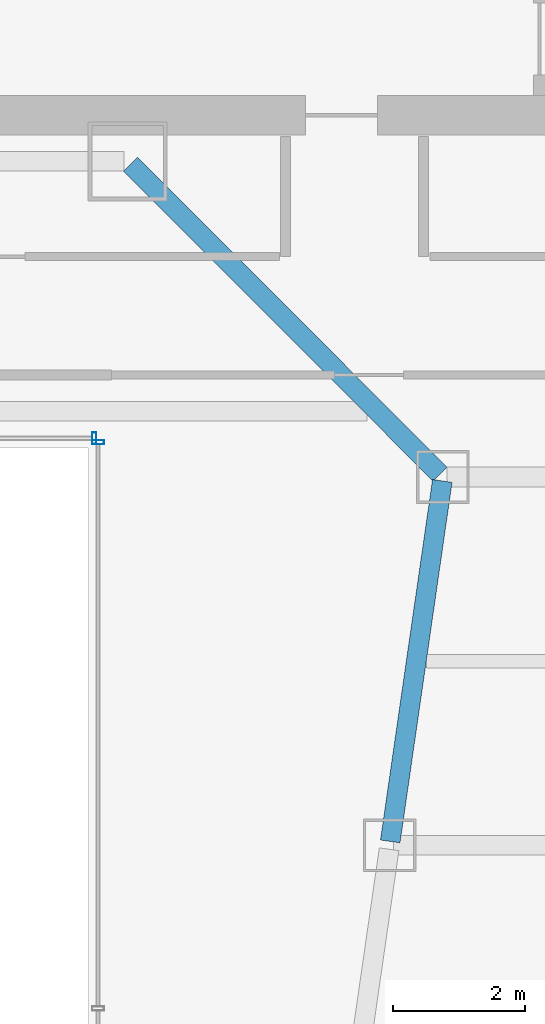
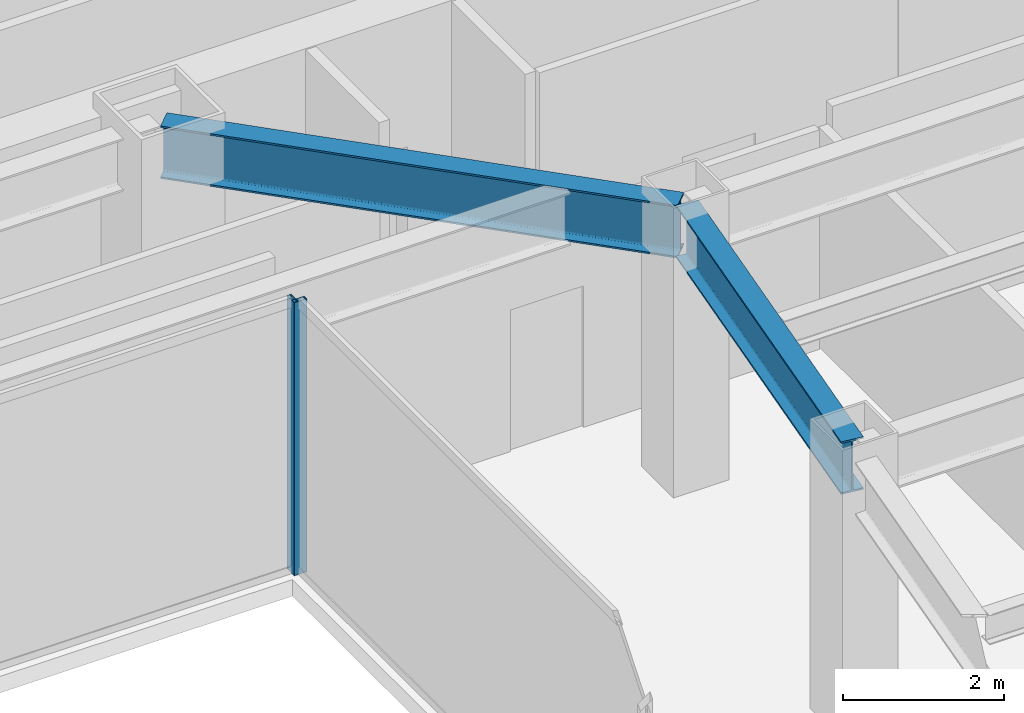
# One storey, part 29 of 47: 2 beams, 2 members, 2 elements without a shape of their own.
"""IFC4 building model written with IfcOpenShell, lengths in metres."""

import ifcopenshell
import ifcopenshell.guid

model = None  # the IFC model being written
_history = None  # IfcOwnerHistory: only IFC2X3 demands one
_inside = {}  # id of a spatial element -> (the spatial element, [elements in it])
_under = {}  # id of a project, library or spatial element -> (it, [spatial elements below it])
_declared = {}  # id of a project -> (the project, [libraries it declares])
_typed = {}  # id of a type object -> (the type object, [elements of that type])
_made_of = {}  # id of a material, layer set ... -> (it, [elements and type objects made of it])


def new_model(schema):
    """Start an empty IFC model of exactly this schema.

    Asked for "IFC4X3", IfcOpenShell would pick the latest addendum, in which some entities
    have other attributes; the version numbers below select the first issue.
    IFC2X3 requires an IfcOwnerHistory on every rooted entity: one is made here for all.
    """
    global model, _history
    if schema == "IFC4X3":
        model = ifcopenshell.file(schema_version=(4, 3, 0, 0))
    else:
        model = ifcopenshell.file(schema=schema)
    _inside.clear()
    _under.clear()
    _declared.clear()
    _typed.clear()
    _made_of.clear()
    _history = None
    if model.schema == "IFC2X3":
        org = make("IfcOrganization", Name="unknown")
        user = make(
            "IfcPersonAndOrganization",
            ThePerson=make("IfcPerson", FamilyName="unknown"),
            TheOrganization=org,
        )
        app = make(
            "IfcApplication",
            ApplicationDeveloper=org,
            Version="unknown",
            ApplicationFullName="unknown",
            ApplicationIdentifier="unknown",
        )
        _history = make(
            "IfcOwnerHistory",
            OwningUser=user,
            OwningApplication=app,
            ChangeAction="ADDED",
            CreationDate=0,
        )
    return model


def make(cls, **values):
    """One entity of the class cls with the attributes given. An attribute that is None is left unset."""
    return model.create_entity(
        cls, **{name: value for name, value in values.items() if value is not None}
    )


def rooted(cls, **values):
    """An entity with a GlobalId (a new one), such as an element, a storey or a relation."""
    return make(cls, GlobalId=ifcopenshell.guid.new(), OwnerHistory=_history, **values)


def si_unit(unit_type, name, prefix=None):
    """IfcSIUnit, for example si_unit("LENGTHUNIT", "METRE", prefix="MILLI")."""
    return make("IfcSIUnit", UnitType=unit_type, Prefix=prefix, Name=name)


def assignment(units):
    """IfcUnitAssignment: the units of a project."""
    return None if units is None else make("IfcUnitAssignment", Units=units)


def point(xyz):
    """IfcCartesianPoint."""
    return None if xyz is None else make("IfcCartesianPoint", Coordinates=xyz)


def direction(xyz):
    """IfcDirection."""
    return None if xyz is None else make("IfcDirection", DirectionRatios=xyz)


def frame(location, z_axis=None, x_axis=None):
    """IfcAxis2Placement3D, a coordinate frame: its origin and axes. An axis left out is left unset."""
    return make(
        "IfcAxis2Placement3D",
        Location=point(location),
        Axis=direction(z_axis),
        RefDirection=direction(x_axis),
    )


def frame_2d(location, x_axis=None):
    """IfcAxis2Placement2D, a coordinate frame in the plane: its origin and x axis."""
    return make(
        "IfcAxis2Placement2D", Location=point(location), RefDirection=direction(x_axis)
    )


def origin():
    """The frame at (0, 0, 0) with its axes left unset."""
    return frame((0.0, 0.0, 0.0))


def origin_2d():
    """The frame at (0, 0) in the plane with its x axis left unset."""
    return frame_2d((0.0, 0.0))


def place(relative_to, where):
    """IfcLocalPlacement: puts the frame where relative to a parent placement (None: the world)."""
    return make(
        "IfcLocalPlacement", PlacementRelTo=relative_to, RelativePlacement=where
    )


def context(
    kind, dimensions, precision=None, world=None, true_north=None, identifier=None
):
    """IfcGeometricRepresentationContext, for example the 3D "Model" context."""
    return make(
        "IfcGeometricRepresentationContext",
        ContextIdentifier=identifier,
        ContextType=kind,
        CoordinateSpaceDimension=dimensions,
        Precision=precision,
        WorldCoordinateSystem=world,
        TrueNorth=true_north,
    )


def subcontext(parent, identifier, kind, view, scale=None):
    """IfcGeometricRepresentationSubContext, for example "Body" below "Model"."""
    return make(
        "IfcGeometricRepresentationSubContext",
        ContextIdentifier=identifier,
        ContextType=kind,
        ParentContext=parent,
        TargetScale=scale,
        TargetView=view,
    )


def project(units=None, contexts=None):
    """IfcProject with its units and contexts."""
    return rooted(
        "IfcProject",
        Name="project",
        RepresentationContexts=contexts,
        UnitsInContext=assignment(units),
    )


def spatial(cls, under=None, at=None, **own):
    """A site, building, storey or space (cls), placed at a placement, below another one or the project."""
    s = rooted(cls, ObjectPlacement=at, **own)
    if under is not None:
        _under.setdefault(under.id(), (under, []))[1].append(s)
    return s


def profile(cls, at=None, kind="AREA", **sizes):
    """A parametric profile (cls). Its sizes go by their IFC names, for example OverallWidth=200.0."""
    return make(cls, ProfileType=kind, Position=at, **sizes)


def hollow_rectangle(**sizes):
    """IfcRectangleHollowProfileDef."""
    return profile("IfcRectangleHollowProfileDef", **sizes)


def i_section(**sizes):
    """IfcIShapeProfileDef."""
    return profile("IfcIShapeProfileDef", **sizes)


def extrude(swept, where, along, depth):
    """IfcExtrudedAreaSolid: the profile swept, set in the frame where, extruded along a direction by depth."""
    return make(
        "IfcExtrudedAreaSolid",
        SweptArea=swept,
        Position=where,
        ExtrudedDirection=direction(along),
        Depth=depth,
    )


def shape(context_of_items, identifier, shape_type, items):
    """IfcShapeRepresentation: the items that make up one representation, for example the "Body"."""
    return make(
        "IfcShapeRepresentation",
        ContextOfItems=context_of_items,
        RepresentationIdentifier=identifier,
        RepresentationType=shape_type,
        Items=items,
    )


def material(Name=None, Category=None):
    """IfcMaterial."""
    return make("IfcMaterial", Name=Name, Category=Category)


def material_profile(
    of_material, cross_section, Name=None, Category=None, Priority=None
):
    """IfcMaterialProfile: a cross section and its material."""
    return make(
        "IfcMaterialProfile",
        Name=Name,
        Material=of_material,
        Profile=cross_section,
        Priority=Priority,
        Category=Category,
    )


def profile_set(profiles, Name=None, composite=None):
    """IfcMaterialProfileSet."""
    return make(
        "IfcMaterialProfileSet",
        Name=Name,
        MaterialProfiles=profiles,
        CompositeProfile=composite,
    )


def made_of(thing, what):
    """Note that an element or type object is made of a material, layer set ...; save() writes the relation."""
    if what is not None:
        _made_of.setdefault(what.id(), (what, []))[1].append(thing)
    return thing


def type_object(cls, material=None, **own):
    """A type object (cls), such as IfcWallType, which elements share."""
    return made_of(rooted(cls, **own), material)


def element(
    cls,
    number,
    at=None,
    inside=None,
    cuts=None,
    type_object=None,
    material=None,
    context=None,
    identifier="Body",
    shape_type=None,
    held_by="IfcProductDefinitionShape",
    body=None,
    shapes=None,
    **own,
):
    """One element of the class cls, such as IfcWall. Its Tag is "e" and its number.

    at: its placement. inside: the storey or other place that contains it. cuts: it is an
    opening in that element (IfcRelVoidsElement). A single representation is given by context,
    identifier, shape_type and body (its items); several are given by shapes. held_by: the class
    of the entity that holds the representations. save() writes the other relations.
    """
    e = rooted(cls, Tag="e%d" % number, ObjectPlacement=at, **own)
    if body is not None:
        shapes = [shape(context, identifier, shape_type, body)]
    if shapes is not None:
        e.Representation = make(held_by, Representations=shapes)
    if inside is not None:
        _inside.setdefault(inside.id(), (inside, []))[1].append(e)
    if cuts is not None:
        rooted(
            "IfcRelVoidsElement", RelatingBuildingElement=cuts, RelatedOpeningElement=e
        )
    if type_object is not None:
        _typed.setdefault(type_object.id(), (type_object, []))[1].append(e)
    return made_of(e, material)


def aggregate(whole, parts):
    """IfcRelAggregates: a whole, such as a stair, and the parts it consists of."""
    return rooted("IfcRelAggregates", RelatingObject=whole, RelatedObjects=parts)


def save(model, path):
    """Write the relations noted so far, then the file.

    IfcRelAggregates (storeys below a building ...), IfcRelContainedInSpatialStructure (elements
    in a storey), IfcRelDefinesByType, IfcRelAssociatesMaterial and IfcRelDeclares: one each for
    every whole, place, type object, material and project.
    """
    for whole, parts in _under.values():
        aggregate(whole, parts)
    for where, things in _inside.values():
        rooted(
            "IfcRelContainedInSpatialStructure",
            RelatedElements=things,
            RelatingStructure=where,
        )
    for kind, things in _typed.values():
        rooted("IfcRelDefinesByType", RelatedObjects=things, RelatingType=kind)
    for what, things in _made_of.values():
        rooted("IfcRelAssociatesMaterial", RelatedObjects=things, RelatingMaterial=what)
    for by, libraries in _declared.values():
        rooted("IfcRelDeclares", RelatingContext=by, RelatedDefinitions=libraries)
    model.write(path)


model = new_model("IFC4")

# Units and contexts
model_context = context("Model", 3, precision=1e-05, world=origin(), true_north=direction((0.0, 1.0)))
body_context = subcontext(model_context, "Body", "Model", "MODEL_VIEW")
ifc_project = project(units=[si_unit("LENGTHUNIT", "METRE"), si_unit("AREAUNIT", "SQUARE_METRE"), si_unit("VOLUMEUNIT", "CUBIC_METRE"), si_unit("PLANEANGLEUNIT", "RADIAN"), si_unit("MASSUNIT", "GRAM", prefix="KILO")], contexts=[model_context])

# Site, building, storey
site_placement = place(None, origin())
site = spatial("IfcSite", under=ifc_project, at=site_placement, CompositionType="ELEMENT")
building_placement = place(site_placement, origin())
building = spatial("IfcBuilding", under=site, at=building_placement, Name="Saevonmaru Cultural Tower", CompositionType="ELEMENT")
storey_placement = place(building_placement, frame((0.0, 0.0, 47.199951171875)))
storey = spatial("IfcBuildingStorey", under=building, at=storey_placement, Name="L09", CompositionType="ELEMENT", Elevation=47.199951171875)

# Beams
ifc_material_1 = material(Name="Steel SM420", Category="steel")
ifc_material_profile_1 = material_profile(ifc_material_1, i_section(OverallWidth=0.300048828125, OverallDepth=0.800048828125, WebThickness=0.013916015625, FlangeThickness=0.02587890625, FilletRadius=0.028076171875, at=origin_2d()), Name="H-800x300x14x26")
ifc_profile_set_1 = profile_set([ifc_material_profile_1], Name="Steel SM420")
beam_type = type_object("IfcBeamType", Name="BM-G-H800", PredefinedType="BEAM", material=ifc_profile_set_1)
beam_1_placement = place(storey_placement, frame((40.3916015625, 32.059326171875, 3.75), z_axis=(0.142964121327, 0.989727871697, 0.0), x_axis=(-0.989727871697, 0.142964121327, 0.0)))
element("IfcBeam", 1, at=beam_1_placement, inside=storey, type_object=beam_type, Name="L09 East Atrium Girder 5", PredefinedType="BEAM", context=body_context, shape_type="SweptSolid", body=[
    extrude(i_section(OverallWidth=0.300048828125, OverallDepth=0.800048828125, WebThickness=0.013916015625, FlangeThickness=0.02587890625, FilletRadius=0.028076171875, at=origin_2d()), origin(), (0.0, 0.0, 1.0), 5.5380859375),
])
beam_2_placement = place(storey_placement, frame((41.149658203125, 37.642578125, 3.75), z_axis=(-0.706538566564, 0.707674539572, 0.0), x_axis=(-0.707674539572, -0.706538566564, 0.0)))
element("IfcBeam", 2, at=beam_2_placement, inside=storey, type_object=beam_type, Name="L09 East Atrium Girder 6", PredefinedType="BEAM", context=body_context, shape_type="SweptSolid", body=[
    extrude(i_section(OverallWidth=0.300048828125, OverallDepth=0.800048828125, WebThickness=0.013916015625, FlangeThickness=0.02587890625, FilletRadius=0.028076171875, at=origin_2d()), origin(), (0.0, 0.0, 1.0), 6.662353515625),
])

# Curtain wall, member
ifc_material_2 = material(Name="Satin Bronze Anodised Aluminium", Category="aluminium")
curtain_wall_type = type_object("IfcCurtainWallType", Name="CW-ATR-GLZ", PredefinedType="NOTDEFINED", material=ifc_material_2)
curtain_wall_1_placement = place(storey_placement, origin())
curtain_wall_1 = element("IfcCurtainWall", 3, at=curtain_wall_1_placement, inside=storey, type_object=curtain_wall_type, Name="L09 Vertical Atrium Glazed Smoke Screen 2", PredefinedType="NOTDEFINED")
ifc_material_profile_2 = material_profile(ifc_material_2, hollow_rectangle(XDim=0.06494140625, YDim=0.179931640625, WallThickness=0.00390625, at=origin_2d()), Name="ALU-MULL-180x65x4")
ifc_profile_set_2 = profile_set([ifc_material_profile_2], Name="Satin Bronze Anodised Aluminium")
member_type = type_object("IfcMemberType", Name="ML-CW-INT-180x65", PredefinedType="MULLION", material=ifc_profile_set_2)
member_1_placement = place(storey_placement, frame((35.949951171875, 38.1298828125, 0.0), z_axis=(0.0, 0.0, 1.0), x_axis=(0.0, 1.0, 0.0)))
member_1 = element("IfcMember", 4, at=member_1_placement, type_object=member_type, Name="CW-ATR-L09-2 mullion 3", PredefinedType="MULLION", context=body_context, shape_type="SweptSolid", body=[
    extrude(hollow_rectangle(XDim=0.06494140625, YDim=0.179931640625, WallThickness=0.00390625, at=origin_2d()), origin(), (0.0, 0.0, 1.0), 4.150146484375),
])
aggregate(curtain_wall_1, [member_1])

curtain_wall_2_placement = place(storey_placement, origin())
curtain_wall_2 = element("IfcCurtainWall", 5, at=curtain_wall_2_placement, inside=storey, type_object=curtain_wall_type, Name="L09 Vertical Atrium Glazed Smoke Screen 3", PredefinedType="NOTDEFINED")
member_2_placement = place(storey_placement, frame((35.889892578125, 38.18994140625, 0.0), z_axis=(0.0, 0.0, 1.0), x_axis=(-1.0, 0.0, 0.0)))
member_2 = element("IfcMember", 6, at=member_2_placement, type_object=member_type, Name="CW-ATR-L09-3 mullion 1", PredefinedType="MULLION", context=body_context, shape_type="SweptSolid", body=[
    extrude(hollow_rectangle(XDim=0.06494140625, YDim=0.179931640625, WallThickness=0.00390625, at=origin_2d()), origin(), (0.0, 0.0, 1.0), 4.150146484375),
])
aggregate(curtain_wall_2, [member_2])

save(model, "model.ifc")
